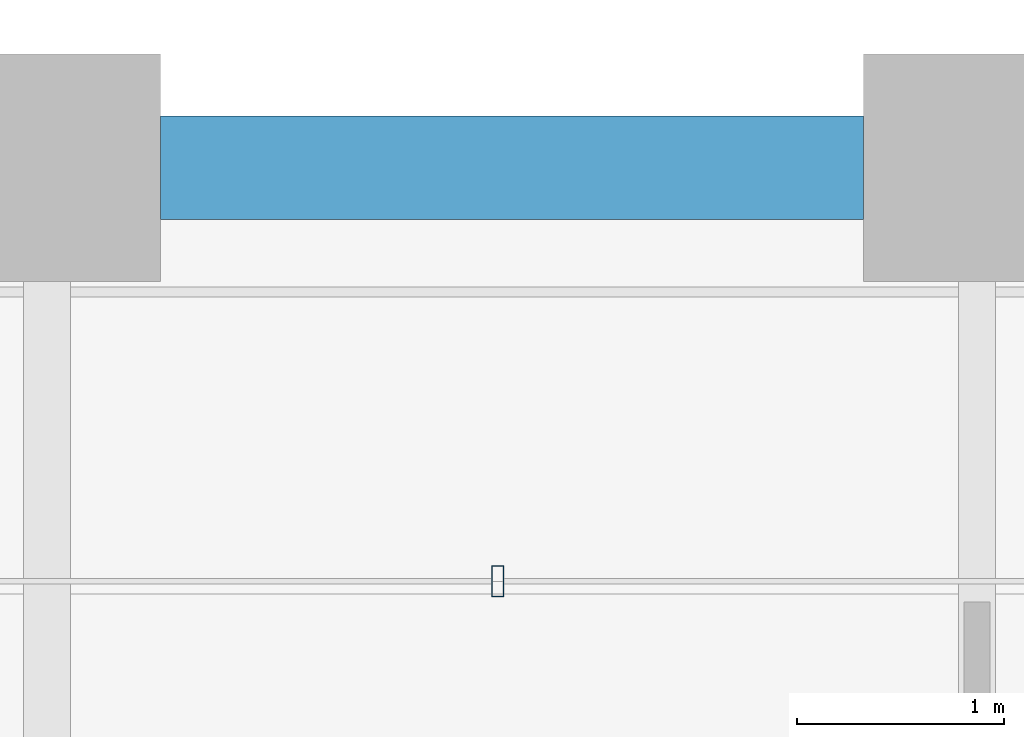
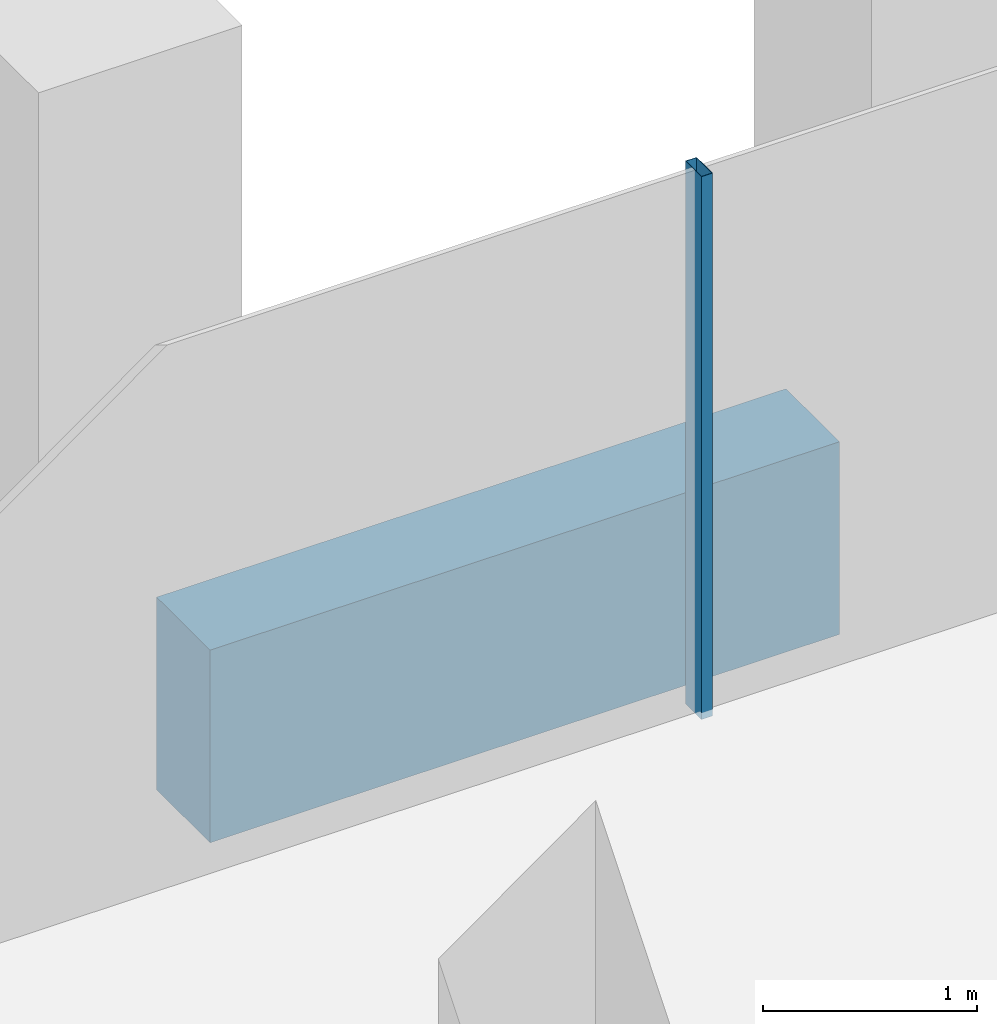
# One storey, part 42 of 54: 1 beam, 1 member, 1 element without a shape of its own.
"""IFC4 building model written with IfcOpenShell, lengths in metres."""

from ifc_helpers import new_model, si_unit, direction, frame, origin, origin_2d, place, context, subcontext, project, spatial, rectangle, hollow_rectangle, extrude, material, material_profile, profile_set, type_object, element, aggregate, save


model = new_model("IFC4")

# Units and contexts
model_context = context("Model", 3, precision=1e-05, world=origin(), true_north=direction((0.0, 1.0)))
body_context = subcontext(model_context, "Body", "Model", "MODEL_VIEW")
ifc_project = project(units=[si_unit("LENGTHUNIT", "METRE"), si_unit("AREAUNIT", "SQUARE_METRE"), si_unit("VOLUMEUNIT", "CUBIC_METRE"), si_unit("PLANEANGLEUNIT", "RADIAN"), si_unit("MASSUNIT", "GRAM", prefix="KILO")], contexts=[model_context])

# Site, building, storey
site_placement = place(None, origin())
site = spatial("IfcSite", under=ifc_project, at=site_placement, CompositionType="ELEMENT")
building_placement = place(site_placement, origin())
building = spatial("IfcBuilding", under=site, at=building_placement, Name="Altepetl Exchange Towers", CompositionType="ELEMENT")
storey_placement = place(building_placement, frame((0.0, 0.0, 61.800048828125)))
storey = spatial("IfcBuildingStorey", under=building, at=storey_placement, Name="L14", CompositionType="ELEMENT", Elevation=61.800048828125)

# Curtain wall, member
ifc_material_1 = material(Name="Aluminium 6063-T6 glazing", Category="aluminium")
curtain_wall_type = type_object("IfcCurtainWallType", Name="Loggia glazing system", PredefinedType="NOTDEFINED", material=ifc_material_1)
curtain_wall_placement = place(storey_placement, origin())
curtain_wall = element("IfcCurtainWall", 1, at=curtain_wall_placement, inside=storey, type_object=curtain_wall_type, Name="CW1 run", PredefinedType="NOTDEFINED")
ifc_material_2 = material(Name="Aluminium 6063-T6", Category="aluminium")
ifc_material_profile_1 = material_profile(ifc_material_2, hollow_rectangle(XDim=0.06005859375, YDim=0.14990234375, WallThickness=0.0029296875, at=origin_2d()), Name="Mullion 60x150 aluminium")
ifc_profile_set_1 = profile_set([ifc_material_profile_1], Name="Aluminium 6063-T6")
member_type = type_object("IfcMemberType", Name="Mullion 60x150 aluminium", PredefinedType="MULLION", material=ifc_profile_set_1)
member_placement = place(storey_placement, frame((105.68115234375, 56.5, 0.0), z_axis=(0.0, 0.0, 1.0), x_axis=(-1.0, 0.0, 0.0)))
member = element("IfcMember", 2, at=member_placement, type_object=member_type, Name="MU1 mullion", PredefinedType="MULLION", context=body_context, shape_type="SweptSolid", body=[
    extrude(hollow_rectangle(XDim=0.06005859375, YDim=0.14990234375, WallThickness=0.0029296875, at=origin_2d()), origin(), (0.0, 0.0, 1.0), 3.099853515625),
])
aggregate(curtain_wall, [member])

# Beam
ifc_material_3 = material(Name="Concrete C50/60 precast with cantera amarilla facing", Category="concrete")
ifc_material_profile_2 = material_profile(ifc_material_3, rectangle(XDim=0.5, YDim=1.10009765625, at=origin_2d()), Name="500 x 1100")
ifc_profile_set_2 = profile_set([ifc_material_profile_2], Name="Concrete C50/60 precast with cantera amarilla facing")
beam_type = type_object("IfcBeamType", Name="Spandrel beam 500x1100 cantera amarilla", PredefinedType="SPANDREL", material=ifc_profile_set_2)
beam_placement = place(storey_placement, frame((107.449951171875, 58.5, -0.699951171875), z_axis=(-1.0, 0.0, 0.0), x_axis=(0.0, -1.0, 0.0)))
element("IfcBeam", 3, at=beam_placement, inside=storey, type_object=beam_type, Name="sp:B:L14:021", PredefinedType="SPANDREL", context=body_context, shape_type="SweptSolid", body=[
    extrude(rectangle(XDim=0.5, YDim=1.10009765625, at=origin_2d()), origin(), (0.0, 0.0, 1.0), 3.39990234375),
])

save(model, "model.ifc")
